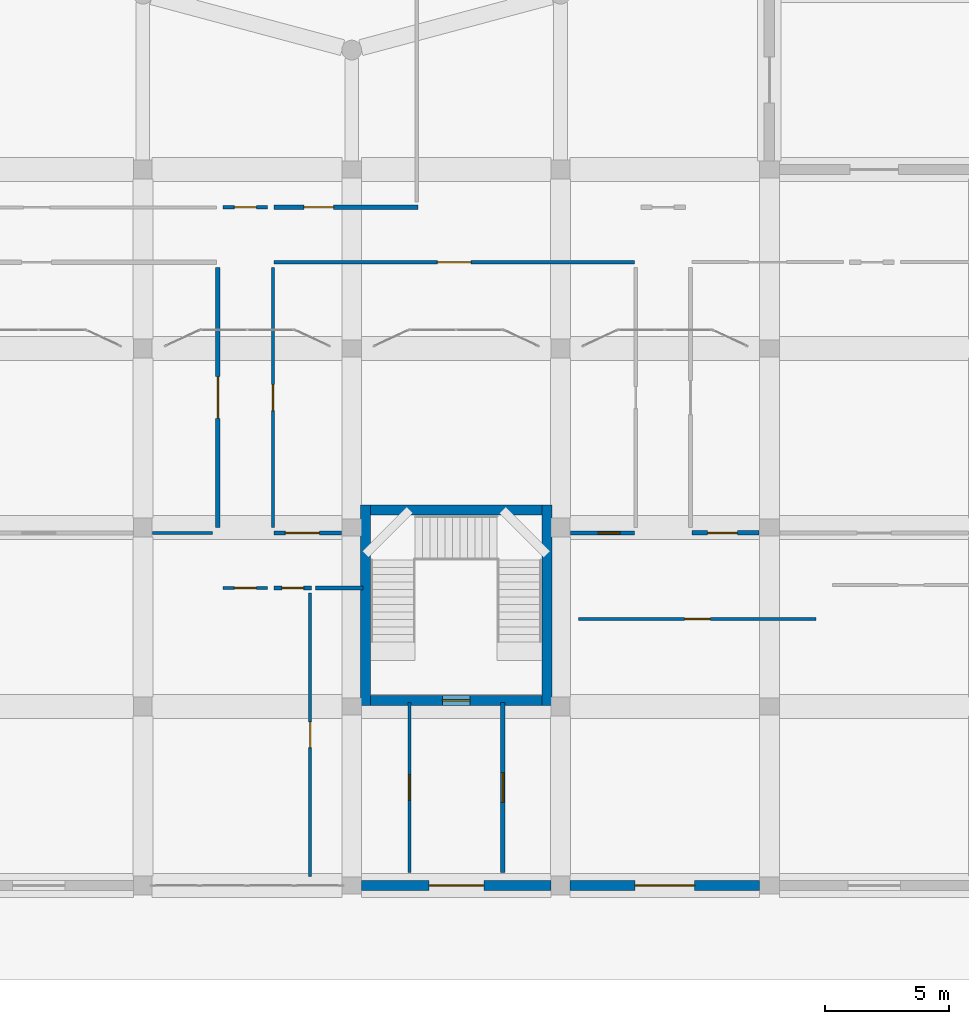
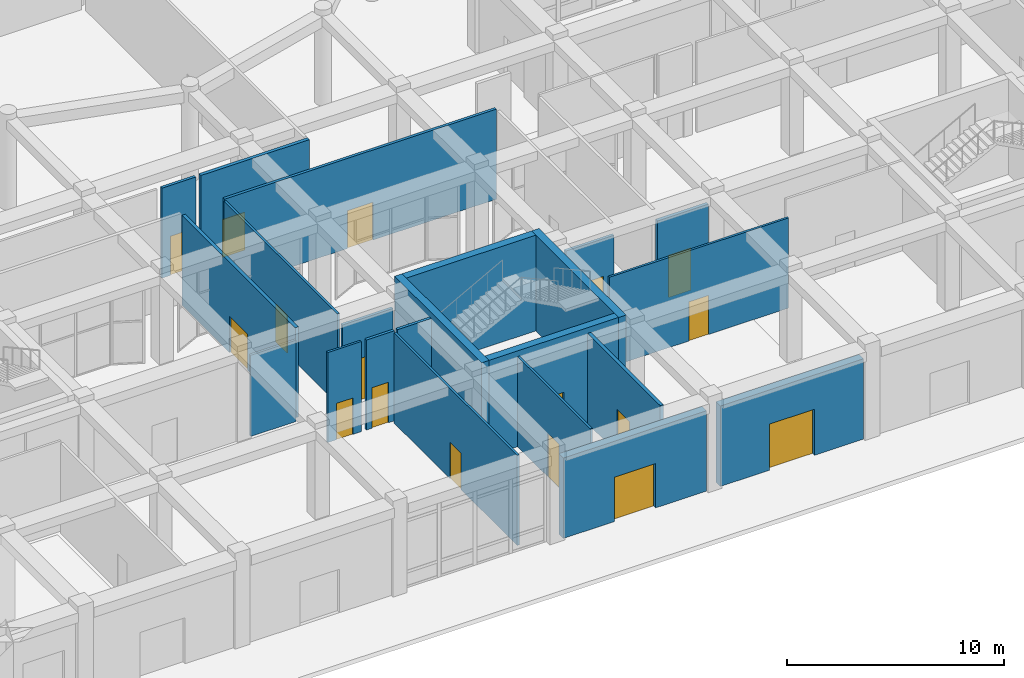
# One storey, part 66 of 84: 22 walls, 17 doors, 17 openings.
"""IFC4 building model written with IfcOpenShell, lengths in metres."""

from ifc_helpers import new_model, si_unit, derived_unit, direction, frame, frame_2d, origin, place, context, subcontext, project, spatial, rectangle, extrude, material, layer, layer_set, type_object, element, fill, save


model = new_model("IFC4")

# Units and contexts
model_context = context("Model", 3, precision=1e-05, world=origin(), true_north=direction((0.0, 1.0)))
body_context = subcontext(model_context, "Body", "Model", "MODEL_VIEW")
ifc_project = project(units=[si_unit("LENGTHUNIT", "METRE"), si_unit("AREAUNIT", "SQUARE_METRE"), si_unit("VOLUMEUNIT", "CUBIC_METRE"), si_unit("PLANEANGLEUNIT", "RADIAN"), si_unit("MASSUNIT", "GRAM", prefix="KILO"), derived_unit("THERMALTRANSMITTANCEUNIT", [(si_unit("POWERUNIT", "WATT"), 1), (si_unit("LENGTHUNIT", "METRE"), -2), (si_unit("THERMODYNAMICTEMPERATUREUNIT", "KELVIN"), -1)])], contexts=[model_context])

# Site, building, storey
site_placement = place(None, origin())
site = spatial("IfcSite", under=ifc_project, at=site_placement, CompositionType="ELEMENT")
building_placement = place(site_placement, origin())
building = spatial("IfcBuilding", under=site, at=building_placement, Name="Veybourne Emporium", CompositionType="ELEMENT")
storey_placement = place(building_placement, origin())
storey = spatial("IfcBuildingStorey", under=building, at=storey_placement, Name="L00", CompositionType="ELEMENT", Elevation=0.0)

# Wall, opening, door
ifc_material_1 = material(Name="Honed Black Granite Plinth", Category="masonry")
ifc_layer_1 = layer(ifc_material_1, 0.419921875)
ifc_layer_set_1 = layer_set([ifc_layer_1], Name="Honed Black Granite Plinth")
wall_type_1 = type_object("IfcWallType", Name="ExtWall_EW-02", PredefinedType="SOLIDWALL", material=ifc_layer_set_1)
wall_1_placement = place(storey_placement, frame((83.625, 0.0, 0.0), z_axis=(0.0, 0.0, 1.0), x_axis=(-1.0, 0.0, 0.0)))
wall_1 = element("IfcWall", 1, at=wall_1_placement, inside=storey, type_object=wall_type_1, Name="Ground street granite plinth entrance wall 035", PredefinedType="SOLIDWALL", context=body_context, shape_type="SweptSolid", body=[
    extrude(rectangle(XDim=7.625, YDim=0.419921875, at=frame_2d((3.8125, 0.0))), origin(), (0.0, 0.0, 1.0), 4.530029296875),
])
opening_1_placement = place(wall_1_placement, frame((2.71240234375, 0.0, 0.0)))
opening_1 = element("IfcOpeningElement", 2, at=opening_1_placement, cuts=wall_1, Name="Opening EX-02", PredefinedType="OPENING", context=body_context, shape_type="SweptSolid", body=[
    extrude(rectangle(XDim=2.199951171875, YDim=2.5, at=frame_2d((1.10009765625, 1.25))), frame((0.0, 0.22998046875, 0.0), z_axis=(0.0, -1.0, 0.0), x_axis=(1.0, 0.0, 0.0)), (0.0, 0.0, 1.0), 0.4599609375),
])
ifc_material_2 = material(Name="Patinated Architectural Bronze", Category="bronze")
door_type_1 = type_object("IfcDoorType", Name="ExitDoor_EX-02", OperationType="DOUBLE_DOOR_SINGLE_SWING", PredefinedType="DOOR", material=ifc_material_2)
door_1_placement = place(opening_1_placement, origin())
door_1 = element("IfcDoor", 3, at=door_1_placement, inside=storey, type_object=door_type_1, Name="Pedestrian final exit door EX-02 #19", OperationType="DOUBLE_DOOR_SINGLE_SWING", OverallHeight=2.5, OverallWidth=2.199951171875, PredefinedType="DOOR", context=body_context, shape_type="SweptSolid", body=[
    extrude(rectangle(XDim=2.199951171875, YDim=2.5, at=frame_2d((1.10009765625, 1.25))), frame((0.0, 0.02490234375, 0.0), z_axis=(0.0, -1.0, 0.0), x_axis=(1.0, 0.0, 0.0)), (0.0, 0.0, 1.0), 0.050048828125),
])
fill(opening_1, door_1)

wall_2_placement = place(storey_placement, frame((92.0, 0.0, 0.0), z_axis=(0.0, 0.0, 1.0), x_axis=(-1.0, 0.0, 0.0)))
wall_2 = element("IfcWall", 4, at=wall_2_placement, inside=storey, type_object=wall_type_1, Name="Ground street granite plinth entrance wall 037", PredefinedType="SOLIDWALL", context=body_context, shape_type="SweptSolid", body=[
    extrude(rectangle(XDim=7.625, YDim=0.419921875, at=frame_2d((3.8125, 0.0))), origin(), (0.0, 0.0, 1.0), 4.530029296875),
])
opening_2_placement = place(wall_2_placement, frame((2.612548828125, 0.0, 0.0)))
opening_2 = element("IfcOpeningElement", 5, at=opening_2_placement, cuts=wall_2, Name="Opening EX-03", PredefinedType="OPENING", context=body_context, shape_type="SweptSolid", body=[
    extrude(rectangle(XDim=2.39990234375, YDim=2.60009765625, at=frame_2d((1.199951171875, 1.300048828125))), frame((0.0, 0.22998046875, 0.0), z_axis=(0.0, -1.0, 0.0), x_axis=(1.0, 0.0, 0.0)), (0.0, 0.0, 1.0), 0.4599609375),
])
door_type_2 = type_object("IfcDoorType", Name="ExitDoor_EX-03", OperationType="DOUBLE_DOOR_SINGLE_SWING", PredefinedType="DOOR", material=ifc_material_2)
door_2_placement = place(opening_2_placement, origin())
door_2 = element("IfcDoor", 6, at=door_2_placement, inside=storey, type_object=door_type_2, Name="Pedestrian final exit door EX-03 #20", OperationType="DOUBLE_DOOR_SINGLE_SWING", OverallHeight=2.60009765625, OverallWidth=2.39990234375, PredefinedType="DOOR", context=body_context, shape_type="SweptSolid", body=[
    extrude(rectangle(XDim=2.39990234375, YDim=2.60009765625, at=frame_2d((1.199951171875, 1.300048828125))), frame((0.0, 0.02490234375, 0.0), z_axis=(0.0, -1.0, 0.0), x_axis=(1.0, 0.0, 0.0)), (0.0, 0.0, 1.0), 0.050048828125),
])
fill(opening_2, door_2)

ifc_material_3 = material(Name="Concrete C40/50", Category="concrete")
ifc_layer_2 = layer(ifc_material_3, 0.39990234375)
ifc_layer_set_2 = layer_set([ifc_layer_2], Name="Concrete C40/50")
wall_type_2 = type_object("IfcWallType", Name="IntWall_CW-01", PredefinedType="SHEAR", material=ifc_layer_set_2)
wall_3_placement = place(storey_placement, frame((83.25, 7.449951171875, 0.0), z_axis=(0.0, 0.0, 1.0), x_axis=(-1.0, 0.0, 0.0)))
wall_3 = element("IfcWall", 7, at=wall_3_placement, inside=storey, type_object=wall_type_2, Name="Core stair ST-10 south shear wall (L00)", PredefinedType="SHEAR", context=body_context, shape_type="SweptSolid", body=[
    extrude(rectangle(XDim=6.89990234375, YDim=0.39990234375, at=frame_2d((3.449951171875, 0.0))), origin(), (0.0, 0.0, 1.0), 5.39990234375),
])
opening_3_placement = place(wall_3_placement, frame((2.89990234375, 0.0, 0.0)))
opening_3 = element("IfcOpeningElement", 8, at=opening_3_placement, cuts=wall_3, Name="Opening FD-01", PredefinedType="OPENING", context=body_context, shape_type="SweptSolid", body=[
    extrude(rectangle(XDim=1.10009765625, YDim=2.199951171875, at=frame_2d((0.550048828125, 1.10009765625))), frame((0.0, 0.219970703125, 0.0), z_axis=(0.0, -1.0, 0.0), x_axis=(1.0, 0.0, 0.0)), (0.0, 0.0, 1.0), 0.43994140625),
])
door_type_3 = type_object("IfcDoorType", Name="FireDoor_FD-01", OperationType="NOTDEFINED", PredefinedType="DOOR", material=ifc_material_2)
door_3_placement = place(opening_3_placement, origin())
door_3 = element("IfcDoor", 9, at=door_3_placement, inside=storey, type_object=door_type_3, Name="Stair ST-10 fire door (L00)", OperationType="SINGLE_SWING_RIGHT", OverallHeight=2.199951171875, OverallWidth=1.10009765625, PredefinedType="DOOR", context=body_context, shape_type="SweptSolid", body=[
    extrude(rectangle(XDim=1.10009765625, YDim=2.199951171875, at=frame_2d((0.550048828125, 1.10009765625))), frame((0.0, 0.02490234375, 0.0), z_axis=(0.0, -1.0, 0.0), x_axis=(1.0, 0.0, 0.0)), (0.0, 0.0, 1.0), 0.050048828125),
])
fill(opening_3, door_3)

# Walls
wall_4_placement = place(storey_placement, frame((76.35009765625, 15.10009765625, 0.0), z_axis=(0.0, 0.0, 1.0), x_axis=(1.0, 0.0, 0.0)))
element("IfcWall", 10, at=wall_4_placement, inside=storey, type_object=wall_type_2, Name="Core stair ST-10 north shear wall (L00)", PredefinedType="SHEAR", context=body_context, shape_type="SweptSolid", body=[
    extrude(rectangle(XDim=6.89990234375, YDim=0.39990234375, at=frame_2d((3.449951171875, 0.0))), origin(), (0.0, 0.0, 1.0), 5.39990234375),
])
for number, where, z_axis, x_axis, name in (
    (11, (76.14990234375, 15.300048828125, 0.0), (0.0, 0.0, 1.0), (0.0, -1.0, 0.0), "Core stair ST-10 west shear wall (L00)"),
    (12, (83.449951171875, 7.25, 0.0), (0.0, 0.0, 1.0), (0.0, 1.0, 0.0), "Core stair ST-10 east shear wall (L00)"),
):
    element("IfcWall", number, at=place(storey_placement, frame(where, z_axis=z_axis, x_axis=x_axis)), inside=storey, type_object=wall_type_2, Name=name, PredefinedType="SHEAR", context=body_context, shape_type="SweptSolid", body=[
        extrude(rectangle(XDim=8.050048828125, YDim=0.39990234375, at=frame_2d((4.02490234375, 0.0))), origin(), (0.0, 0.0, 1.0), 5.39990234375),
    ])

# Wall, opening, door
ifc_material_4 = material(Name="Gypsum Acoustic Board", Category="gypsum")
ifc_layer_3 = layer(ifc_material_4, 0.179931640625)
ifc_layer_set_3 = layer_set([ifc_layer_3], Name="Gypsum Acoustic Board")
wall_type_3 = type_object("IfcWallType", Name="IntWall_IW-01", PredefinedType="PARTITIONING", material=ifc_layer_set_3)
wall_5_placement = place(storey_placement, frame((89.280029296875, 14.179931640625, 0.0), z_axis=(0.0, 0.0, 1.0), x_axis=(1.0, 0.0, 0.0)))
wall_5 = element("IfcWall", 13, at=wall_5_placement, inside=storey, type_object=wall_type_3, Name="L00 interior partition IW-01 #059", PredefinedType="PARTITIONING", context=body_context, shape_type="SweptSolid", body=[
    extrude(rectangle(XDim=2.699951171875, YDim=0.179931640625, at=frame_2d((1.35009765625, 0.0))), origin(), (0.0, 0.0, 1.0), 4.580078125),
])
opening_4_placement = place(wall_5_placement, frame((0.6298828125, 0.0, 0.0)))
opening_4 = element("IfcOpeningElement", 14, at=opening_4_placement, cuts=wall_5, Name="Opening D-27", PredefinedType="OPENING", context=body_context, shape_type="SweptSolid", body=[
    extrude(rectangle(XDim=1.199951171875, YDim=2.3701171875, at=frame_2d((0.60009765625, 1.18505859375))), frame((0.0, 0.10986328125, 0.0), z_axis=(0.0, -1.0, 0.0), x_axis=(1.0, 0.0, 0.0)), (0.0, 0.0, 1.0), 0.219970703125),
])
ifc_material_5 = material(Name="European Oak Veneer and Bronze", Category="wood")
door_type_4 = type_object("IfcDoorType", Name="IntDoor_D-27", OperationType="NOTDEFINED", PredefinedType="DOOR", material=ifc_material_5)
door_4_placement = place(opening_4_placement, origin())
door_4 = element("IfcDoor", 15, at=door_4_placement, inside=storey, type_object=door_type_4, Name="L00 interior door D-27 (PART-L00-059)", OperationType="SINGLE_SWING_LEFT", OverallHeight=2.3701171875, OverallWidth=1.199951171875, PredefinedType="DOOR", context=body_context, shape_type="SweptSolid", body=[
    extrude(rectangle(XDim=1.199951171875, YDim=2.3701171875, at=frame_2d((0.60009765625, 1.18505859375))), frame((0.0, 0.02490234375, 0.0), z_axis=(0.0, -1.0, 0.0), x_axis=(1.0, 0.0, 0.0)), (0.0, 0.0, 1.0), 0.050048828125),
])
fill(opening_4, door_4)

wall_6_placement = place(storey_placement, frame((70.219970703125, 14.389892578125, 0.0), z_axis=(0.0, 0.0, 1.0), x_axis=(0.0, 1.0, 0.0)))
wall_6 = element("IfcWall", 16, at=wall_6_placement, inside=storey, type_object=wall_type_3, Name="L00 interior partition IW-01 #074", PredefinedType="PARTITIONING", context=body_context, shape_type="SweptSolid", body=[
    extrude(rectangle(XDim=10.47021484375, YDim=0.179931640625, at=frame_2d((5.235107421875, 0.0))), origin(), (0.0, 0.0, 1.0), 5.080078125),
])
opening_5_placement = place(wall_6_placement, frame((4.39501953125, 0.0, 0.0)))
opening_5 = element("IfcOpeningElement", 17, at=opening_5_placement, cuts=wall_6, Name="Opening D-06", PredefinedType="OPENING", context=body_context, shape_type="SweptSolid", body=[
    extrude(rectangle(XDim=1.679931640625, YDim=2.050048828125, at=frame_2d((0.83984375, 1.02490234375))), frame((0.0, 0.10986328125, 0.0), z_axis=(0.0, -1.0, 0.0), x_axis=(1.0, 0.0, 0.0)), (0.0, 0.0, 1.0), 0.219970703125),
])
door_type_5 = type_object("IfcDoorType", Name="IntDoor_D-06", OperationType="DOUBLE_DOOR_SINGLE_SWING", PredefinedType="DOOR", material=ifc_material_5)
door_5_placement = place(opening_5_placement, origin())
door_5 = element("IfcDoor", 18, at=door_5_placement, inside=storey, type_object=door_type_5, Name="L00 interior door D-06 (PART-L00-074)", OperationType="DOUBLE_DOOR_SINGLE_SWING", OverallHeight=2.050048828125, OverallWidth=1.679931640625, PredefinedType="DOOR", context=body_context, shape_type="SweptSolid", body=[
    extrude(rectangle(XDim=1.679931640625, YDim=2.050048828125, at=frame_2d((0.83984375, 1.02490234375))), frame((0.0, 0.02490234375, 0.0), z_axis=(0.0, -1.0, 0.0), x_axis=(1.0, 0.0, 0.0)), (0.0, 0.0, 1.0), 0.050048828125),
])
fill(opening_5, door_5)

wall_7_placement = place(storey_placement, frame((81.679931640625, 0.530029296875, 0.0), z_axis=(0.0, 0.0, 1.0), x_axis=(0.0, 1.0, 0.0)))
wall_7 = element("IfcWall", 19, at=wall_7_placement, inside=storey, type_object=wall_type_3, Name="L00 interior partition IW-01 #101", PredefinedType="PARTITIONING", context=body_context, shape_type="SweptSolid", body=[
    extrude(rectangle(XDim=6.830078125, YDim=0.179931640625, at=frame_2d((3.4150390625, 0.0))), origin(), (0.0, 0.0, 1.0), 5.080078125),
])
opening_6_placement = place(wall_7_placement, frame((2.81494140625, 0.0, 0.0)))
opening_6 = element("IfcOpeningElement", 20, at=opening_6_placement, cuts=wall_7, Name="Opening D-33", PredefinedType="OPENING", context=body_context, shape_type="SweptSolid", body=[
    extrude(rectangle(XDim=1.199951171875, YDim=2.449951171875, at=frame_2d((0.60009765625, 1.22509765625))), frame((0.0, 0.10986328125, 0.0), z_axis=(0.0, -1.0, 0.0), x_axis=(1.0, 0.0, 0.0)), (0.0, 0.0, 1.0), 0.219970703125),
])
door_type_6 = type_object("IfcDoorType", Name="IntDoor_D-33", OperationType="NOTDEFINED", PredefinedType="DOOR", material=ifc_material_5)
door_6_placement = place(opening_6_placement, frame((1.199951171875, 0.0, 0.0), z_axis=(0.0, 0.0, 1.0), x_axis=(-1.0, 0.0, 0.0)))
door_6 = element("IfcDoor", 21, at=door_6_placement, inside=storey, type_object=door_type_6, Name="L00 interior door D-33 (PART-L00-101)", OperationType="SINGLE_SWING_LEFT", OverallHeight=2.449951171875, OverallWidth=1.199951171875, PredefinedType="DOOR", context=body_context, shape_type="SweptSolid", body=[
    extrude(rectangle(XDim=1.199951171875, YDim=2.449951171875, at=frame_2d((0.60009765625, 1.22509765625))), frame((0.0, 0.02490234375, 0.0), z_axis=(0.0, -1.0, 0.0), x_axis=(1.0, 0.0, 0.0)), (0.0, 0.0, 1.0), 0.050048828125),
])
fill(opening_6, door_6)

wall_8_placement = place(storey_placement, frame((72.47998046875, 27.280029296875, 0.0), z_axis=(0.0, 0.0, 1.0), x_axis=(1.0, 0.0, 0.0)))
wall_8 = element("IfcWall", 22, at=wall_8_placement, inside=storey, type_object=wall_type_3, Name="L00 interior partition IW-01 #113", PredefinedType="PARTITIONING", context=body_context, shape_type="SweptSolid", body=[
    extrude(rectangle(XDim=5.784912109375, YDim=0.179931640625, at=frame_2d((2.892578125, 0.0))), origin(), (0.0, 0.0, 1.0), 5.080078125),
])
opening_7_placement = place(wall_8_placement, frame((1.192138671875, 0.0, 0.0)))
opening_7 = element("IfcOpeningElement", 23, at=opening_7_placement, cuts=wall_8, Name="Opening D-09", PredefinedType="OPENING", context=body_context, shape_type="SweptSolid", body=[
    extrude(rectangle(XDim=1.199951171875, YDim=2.1298828125, at=frame_2d((0.60009765625, 1.06494140625))), frame((0.0, 0.10986328125, 0.0), z_axis=(0.0, -1.0, 0.0), x_axis=(1.0, 0.0, 0.0)), (0.0, 0.0, 1.0), 0.219970703125),
])
door_type_7 = type_object("IfcDoorType", Name="IntDoor_D-09", OperationType="NOTDEFINED", PredefinedType="DOOR", material=ifc_material_5)
door_7_placement = place(opening_7_placement, origin())
door_7 = element("IfcDoor", 24, at=door_7_placement, inside=storey, type_object=door_type_7, Name="L00 interior door D-09 (PART-L00-113)", OperationType="SINGLE_SWING_LEFT", OverallHeight=2.1298828125, OverallWidth=1.199951171875, PredefinedType="DOOR", context=body_context, shape_type="SweptSolid", body=[
    extrude(rectangle(XDim=1.199951171875, YDim=2.1298828125, at=frame_2d((0.60009765625, 1.06494140625))), frame((0.0, 0.02490234375, 0.0), z_axis=(0.0, -1.0, 0.0), x_axis=(1.0, 0.0, 0.0)), (0.0, 0.0, 1.0), 0.050048828125),
])
fill(opening_7, door_7)

ifc_layer_4 = layer(ifc_material_4, 0.14990234375)
ifc_layer_set_4 = layer_set([ifc_layer_4], Name="Gypsum Acoustic Board")
wall_type_4 = type_object("IfcWallType", Name="IntWall_IW-02", PredefinedType="PARTITIONING", material=ifc_layer_set_4)
wall_9_placement = place(storey_placement, frame((72.47998046875, 25.070068359375, 0.0), z_axis=(0.0, 0.0, 1.0), x_axis=(1.0, 0.0, 0.0)))
wall_9 = element("IfcWall", 25, at=wall_9_placement, inside=storey, type_object=wall_type_4, Name="L00 interior partition IW-02 #042", PredefinedType="PARTITIONING", context=body_context, shape_type="SweptSolid", body=[
    extrude(rectangle(XDim=14.489990234375, YDim=0.14990234375, at=frame_2d((7.2451171875, 0.0))), origin(), (0.0, 0.0, 1.0), 5.080078125),
])
opening_8_placement = place(wall_9_placement, frame((6.56494140625, 0.0, 0.0)))
opening_8 = element("IfcOpeningElement", 26, at=opening_8_placement, cuts=wall_9, Name="Opening D-10", PredefinedType="OPENING", context=body_context, shape_type="SweptSolid", body=[
    extrude(rectangle(XDim=1.360107421875, YDim=2.1298828125, at=frame_2d((0.68017578125, 1.06494140625))), frame((0.0, 0.094970703125, 0.0), z_axis=(0.0, -1.0, 0.0), x_axis=(1.0, 0.0, 0.0)), (0.0, 0.0, 1.0), 0.18994140625),
])
door_type_8 = type_object("IfcDoorType", Name="IntDoor_D-10", OperationType="NOTDEFINED", PredefinedType="DOOR", material=ifc_material_5)
door_8_placement = place(opening_8_placement, frame((1.360107421875, 0.0, 0.0), z_axis=(0.0, 0.0, 1.0), x_axis=(-1.0, 0.0, 0.0)))
door_8 = element("IfcDoor", 27, at=door_8_placement, inside=storey, type_object=door_type_8, Name="L00 interior door D-10 (PART-L00-042)", OperationType="SINGLE_SWING_LEFT", OverallHeight=2.1298828125, OverallWidth=1.360107421875, PredefinedType="DOOR", context=body_context, shape_type="SweptSolid", body=[
    extrude(rectangle(XDim=1.360107421875, YDim=2.1298828125, at=frame_2d((0.68017578125, 1.06494140625))), frame((0.0, 0.02490234375, 0.0), z_axis=(0.0, -1.0, 0.0), x_axis=(1.0, 0.0, 0.0)), (0.0, 0.0, 1.0), 0.050048828125),
])
fill(opening_8, door_8)

wall_10_placement = place(storey_placement, frame((72.47998046875, 14.179931640625, 0.0), z_axis=(0.0, 0.0, 1.0), x_axis=(1.0, 0.0, 0.0)))
wall_10 = element("IfcWall", 28, at=wall_10_placement, inside=storey, type_object=wall_type_4, Name="L00 interior partition IW-02 #132", PredefinedType="PARTITIONING", context=body_context, shape_type="SweptSolid", body=[
    extrude(rectangle(XDim=2.699951171875, YDim=0.14990234375, at=frame_2d((1.35009765625, 0.0))), origin(), (0.0, 0.0, 1.0), 4.580078125),
])
opening_9_placement = place(wall_10_placement, frame((0.45556640625, 0.0, 0.0)))
opening_9 = element("IfcOpeningElement", 29, at=opening_9_placement, cuts=wall_10, Name="Opening D-28", PredefinedType="OPENING", context=body_context, shape_type="SweptSolid", body=[
    extrude(rectangle(XDim=1.360107421875, YDim=2.3701171875, at=frame_2d((0.68017578125, 1.18505859375))), frame((0.0, 0.094970703125, 0.0), z_axis=(0.0, -1.0, 0.0), x_axis=(1.0, 0.0, 0.0)), (0.0, 0.0, 1.0), 0.18994140625),
])
door_type_9 = type_object("IfcDoorType", Name="IntDoor_D-28", OperationType="NOTDEFINED", PredefinedType="DOOR", material=ifc_material_5)
door_9_placement = place(opening_9_placement, origin())
door_9 = element("IfcDoor", 30, at=door_9_placement, inside=storey, type_object=door_type_9, Name="L00 interior door D-28 (PART-L00-132)", OperationType="SINGLE_SWING_LEFT", OverallHeight=2.3701171875, OverallWidth=1.360107421875, PredefinedType="DOOR", context=body_context, shape_type="SweptSolid", body=[
    extrude(rectangle(XDim=1.360107421875, YDim=2.3701171875, at=frame_2d((0.68017578125, 1.18505859375))), frame((0.0, 0.02490234375, 0.0), z_axis=(0.0, -1.0, 0.0), x_axis=(1.0, 0.0, 0.0)), (0.0, 0.0, 1.0), 0.050048828125),
])
fill(opening_9, door_9)

wall_11_placement = place(storey_placement, frame((84.39501953125, 14.179931640625, 0.0), z_axis=(0.0, 0.0, 1.0), x_axis=(1.0, 0.0, 0.0)))
wall_11 = element("IfcWall", 31, at=wall_11_placement, inside=storey, type_object=wall_type_4, Name="L00 interior partition IW-02 #135", PredefinedType="PARTITIONING", context=body_context, shape_type="SweptSolid", body=[
    extrude(rectangle(XDim=2.574951171875, YDim=0.14990234375, at=frame_2d((1.28759765625, 0.0))), origin(), (0.0, 0.0, 1.0), 4.580078125),
])
opening_10_placement = place(wall_11_placement, frame((1.11865234375, 0.0, 0.0)))
opening_10 = element("IfcOpeningElement", 32, at=opening_10_placement, cuts=wall_11, Name="Opening D-31", PredefinedType="OPENING", context=body_context, shape_type="SweptSolid", body=[
    extrude(rectangle(XDim=0.8798828125, YDim=2.449951171875, at=frame_2d((0.43994140625, 1.22509765625))), frame((0.0, 0.094970703125, 0.0), z_axis=(0.0, -1.0, 0.0), x_axis=(1.0, 0.0, 0.0)), (0.0, 0.0, 1.0), 0.18994140625),
])
door_type_10 = type_object("IfcDoorType", Name="IntDoor_D-31", OperationType="NOTDEFINED", PredefinedType="DOOR", material=ifc_material_5)
door_10_placement = place(opening_10_placement, origin())
door_10 = element("IfcDoor", 33, at=door_10_placement, inside=storey, type_object=door_type_10, Name="L00 interior door D-31 (PART-L00-135)", OperationType="SINGLE_SWING_LEFT", OverallHeight=2.449951171875, OverallWidth=0.8798828125, PredefinedType="DOOR", context=body_context, shape_type="SweptSolid", body=[
    extrude(rectangle(XDim=0.8798828125, YDim=2.449951171875, at=frame_2d((0.43994140625, 1.22509765625))), frame((0.0, 0.02490234375, 0.0), z_axis=(0.0, -1.0, 0.0), x_axis=(1.0, 0.0, 0.0)), (0.0, 0.0, 1.0), 0.050048828125),
])
fill(opening_10, door_10)

# Wall
wall_12_placement = place(storey_placement, frame((74.139892578125, 11.969970703125, 0.0), z_axis=(0.0, 0.0, 1.0), x_axis=(1.0, 0.0, 0.0)))
element("IfcWall", 34, at=wall_12_placement, inside=storey, type_object=wall_type_4, Name="L00 interior partition IW-02 #174", PredefinedType="PARTITIONING", context=body_context, shape_type="SweptSolid", body=[
    extrude(rectangle(XDim=1.920166015625, YDim=0.14990234375, at=frame_2d((0.9599609375, 0.0))), origin(), (0.0, 0.0, 1.0), 5.080078125),
])

# Wall, opening, door
wall_13_placement = place(storey_placement, frame((70.429931640625, 27.280029296875, 0.0), z_axis=(0.0, 0.0, 1.0), x_axis=(1.0, 0.0, 0.0)))
wall_13 = element("IfcWall", 35, at=wall_13_placement, inside=storey, type_object=wall_type_4, Name="L00 interior partition IW-02 #189", PredefinedType="PARTITIONING", context=body_context, shape_type="SweptSolid", body=[
    extrude(rectangle(XDim=1.7900390625, YDim=0.14990234375, at=frame_2d((0.89501953125, 0.0))), origin(), (0.0, 0.0, 1.0), 5.080078125),
])
opening_11_placement = place(wall_13_placement, frame((0.455078125, 0.0, 0.0)))
opening_11 = element("IfcOpeningElement", 36, at=opening_11_placement, cuts=wall_13, Name="Opening D-13", PredefinedType="OPENING", context=body_context, shape_type="SweptSolid", body=[
    extrude(rectangle(XDim=0.8798828125, YDim=2.2099609375, at=frame_2d((0.43994140625, 1.10498046875))), frame((0.0, 0.094970703125, 0.0), z_axis=(0.0, -1.0, 0.0), x_axis=(1.0, 0.0, 0.0)), (0.0, 0.0, 1.0), 0.18994140625),
])
door_type_11 = type_object("IfcDoorType", Name="IntDoor_D-13", OperationType="NOTDEFINED", PredefinedType="DOOR", material=ifc_material_5)
door_11_placement = place(opening_11_placement, origin())
door_11 = element("IfcDoor", 37, at=door_11_placement, inside=storey, type_object=door_type_11, Name="L00 interior door D-13 (PART-L00-189)", OperationType="SINGLE_SWING_LEFT", OverallHeight=2.2099609375, OverallWidth=0.8798828125, PredefinedType="DOOR", context=body_context, shape_type="SweptSolid", body=[
    extrude(rectangle(XDim=0.8798828125, YDim=2.2099609375, at=frame_2d((0.43994140625, 1.10498046875))), frame((0.0, 0.02490234375, 0.0), z_axis=(0.0, -1.0, 0.0), x_axis=(1.0, 0.0, 0.0)), (0.0, 0.0, 1.0), 0.050048828125),
])
fill(opening_11, door_11)

wall_14_placement = place(storey_placement, frame((72.47998046875, 11.969970703125, 0.0), z_axis=(0.0, 0.0, 1.0), x_axis=(1.0, 0.0, 0.0)))
wall_14 = element("IfcWall", 38, at=wall_14_placement, inside=storey, type_object=wall_type_4, Name="L00 interior partition IW-02 #195", PredefinedType="PARTITIONING", context=body_context, shape_type="SweptSolid", body=[
    extrude(rectangle(XDim=1.5, YDim=0.14990234375, at=frame_2d((0.75, 0.0))), origin(), (0.0, 0.0, 1.0), 5.080078125),
])
opening_12_placement = place(wall_14_placement, frame((0.31005859375, 0.0, 0.0)))
opening_12 = element("IfcOpeningElement", 39, at=opening_12_placement, cuts=wall_14, Name="Opening D-19", PredefinedType="OPENING", context=body_context, shape_type="SweptSolid", body=[
    extrude(rectangle(XDim=0.8798828125, YDim=2.2900390625, at=frame_2d((0.43994140625, 1.14501953125))), frame((0.0, 0.094970703125, 0.0), z_axis=(0.0, -1.0, 0.0), x_axis=(1.0, 0.0, 0.0)), (0.0, 0.0, 1.0), 0.18994140625),
])
door_type_12 = type_object("IfcDoorType", Name="IntDoor_D-19", OperationType="NOTDEFINED", PredefinedType="DOOR", material=ifc_material_5)
door_12_placement = place(opening_12_placement, frame((0.8798828125, 0.0, 0.0), z_axis=(0.0, 0.0, 1.0), x_axis=(-1.0, 0.0, 0.0)))
door_12 = element("IfcDoor", 40, at=door_12_placement, inside=storey, type_object=door_type_12, Name="L00 interior door D-19 (PART-L00-195)", OperationType="SINGLE_SWING_RIGHT", OverallHeight=2.2900390625, OverallWidth=0.8798828125, PredefinedType="DOOR", context=body_context, shape_type="SweptSolid", body=[
    extrude(rectangle(XDim=0.8798828125, YDim=2.2900390625, at=frame_2d((0.43994140625, 1.14501953125))), frame((0.0, 0.02490234375, 0.0), z_axis=(0.0, -1.0, 0.0), x_axis=(1.0, 0.0, 0.0)), (0.0, 0.0, 1.0), 0.050048828125),
])
fill(opening_12, door_12)

# Wall
ifc_layer_5 = layer(ifc_material_4, 0.1201171875)
ifc_layer_set_5 = layer_set([ifc_layer_5], Name="Gypsum Acoustic Board")
wall_type_5 = type_object("IfcWallType", Name="IntWall_IW-03", PredefinedType="PARTITIONING", material=ifc_layer_set_5)
wall_15_placement = place(storey_placement, frame((67.594970703125, 14.179931640625, 0.0), z_axis=(0.0, 0.0, 1.0), x_axis=(1.0, 0.0, 0.0)))
element("IfcWall", 41, at=wall_15_placement, inside=storey, type_object=wall_type_5, Name="L00 interior partition IW-03 #031", PredefinedType="PARTITIONING", context=body_context, shape_type="SweptSolid", body=[
    extrude(rectangle(XDim=2.4150390625, YDim=0.1201171875, at=frame_2d((1.20751953125, 0.0))), origin(), (0.0, 0.0, 1.0), 4.580078125),
])

# Wall, opening, door
wall_16_placement = place(storey_placement, frame((73.929931640625, 0.3701171875, 0.0), z_axis=(0.0, 0.0, 1.0), x_axis=(0.0, 1.0, 0.0)))
wall_16 = element("IfcWall", 42, at=wall_16_placement, inside=storey, type_object=wall_type_5, Name="L00 interior partition IW-03 #070", PredefinedType="PARTITIONING", context=body_context, shape_type="SweptSolid", body=[
    extrude(rectangle(XDim=11.389892578125, YDim=0.1201171875, at=frame_2d((5.69482421875, 0.0))), origin(), (0.0, 0.0, 1.0), 5.080078125),
])
opening_13_placement = place(wall_16_placement, frame((5.175048828125, 0.0, 0.0)))
opening_13 = element("IfcOpeningElement", 43, at=opening_13_placement, cuts=wall_16, Name="Opening D-02", PredefinedType="OPENING", context=body_context, shape_type="SweptSolid", body=[
    extrude(rectangle(XDim=1.0400390625, YDim=2.050048828125, at=frame_2d((0.52001953125, 1.02490234375))), frame((0.0, 0.080078125, 0.0), z_axis=(0.0, -1.0, 0.0), x_axis=(1.0, 0.0, 0.0)), (0.0, 0.0, 1.0), 0.16015625),
])
door_type_13 = type_object("IfcDoorType", Name="IntDoor_D-02", OperationType="NOTDEFINED", PredefinedType="DOOR", material=ifc_material_5)
door_13_placement = place(opening_13_placement, origin())
door_13 = element("IfcDoor", 44, at=door_13_placement, inside=storey, type_object=door_type_13, Name="L00 interior door D-02 (PART-L00-070)", OperationType="SINGLE_SWING_RIGHT", OverallHeight=2.050048828125, OverallWidth=1.0400390625, PredefinedType="DOOR", context=body_context, shape_type="SweptSolid", body=[
    extrude(rectangle(XDim=1.0400390625, YDim=2.050048828125, at=frame_2d((0.52001953125, 1.02490234375))), frame((0.0, 0.02490234375, 0.0), z_axis=(0.0, -1.0, 0.0), x_axis=(1.0, 0.0, 0.0)), (0.0, 0.0, 1.0), 0.050048828125),
])
fill(opening_13, door_13)

wall_17_placement = place(storey_placement, frame((72.429931640625, 14.389892578125, 0.0), z_axis=(0.0, 0.0, 1.0), x_axis=(0.0, 1.0, 0.0)))
wall_17 = element("IfcWall", 45, at=wall_17_placement, inside=storey, type_object=wall_type_5, Name="L00 interior partition IW-03 #076", PredefinedType="PARTITIONING", context=body_context, shape_type="SweptSolid", body=[
    extrude(rectangle(XDim=10.47021484375, YDim=0.1201171875, at=frame_2d((5.235107421875, 0.0))), origin(), (0.0, 0.0, 1.0), 5.080078125),
])
opening_14_placement = place(wall_17_placement, frame((4.715087890625, 0.0, 0.0)))
opening_14 = element("IfcOpeningElement", 46, at=opening_14_placement, cuts=wall_17, Name="Opening D-08", PredefinedType="OPENING", context=body_context, shape_type="SweptSolid", body=[
    extrude(rectangle(XDim=1.0400390625, YDim=2.1298828125, at=frame_2d((0.52001953125, 1.06494140625))), frame((0.0, 0.080078125, 0.0), z_axis=(0.0, -1.0, 0.0), x_axis=(1.0, 0.0, 0.0)), (0.0, 0.0, 1.0), 0.16015625),
])
door_type_14 = type_object("IfcDoorType", Name="IntDoor_D-08", OperationType="NOTDEFINED", PredefinedType="DOOR", material=ifc_material_5)
door_14_placement = place(opening_14_placement, frame((1.0400390625, 0.0, 0.0), z_axis=(0.0, 0.0, 1.0), x_axis=(-1.0, 0.0, 0.0)))
door_14 = element("IfcDoor", 47, at=door_14_placement, inside=storey, type_object=door_type_14, Name="L00 interior door D-08 (PART-L00-076)", OperationType="SINGLE_SWING_LEFT", OverallHeight=2.1298828125, OverallWidth=1.0400390625, PredefinedType="DOOR", context=body_context, shape_type="SweptSolid", body=[
    extrude(rectangle(XDim=1.0400390625, YDim=2.1298828125, at=frame_2d((0.52001953125, 1.06494140625))), frame((0.0, 0.02490234375, 0.0), z_axis=(0.0, -1.0, 0.0), x_axis=(1.0, 0.0, 0.0)), (0.0, 0.0, 1.0), 0.050048828125),
])
fill(opening_14, door_14)

wall_18_placement = place(storey_placement, frame((84.72998046875, 10.719970703125, 0.0), z_axis=(0.0, 0.0, 1.0), x_axis=(1.0, 0.0, 0.0)))
wall_18 = element("IfcWall", 48, at=wall_18_placement, inside=storey, type_object=wall_type_5, Name="L00 interior partition IW-03 #082", PredefinedType="PARTITIONING", context=body_context, shape_type="SweptSolid", body=[
    extrude(rectangle(XDim=9.550048828125, YDim=0.1201171875, at=frame_2d((4.77490234375, 0.0))), origin(), (0.0, 0.0, 1.0), 5.080078125),
])
opening_15_placement = place(wall_18_placement, frame((4.2548828125, 0.0, 0.0)))
opening_15 = element("IfcOpeningElement", 49, at=opening_15_placement, cuts=wall_18, Name="Opening D-14", PredefinedType="OPENING", context=body_context, shape_type="SweptSolid", body=[
    extrude(rectangle(XDim=1.0400390625, YDim=2.2099609375, at=frame_2d((0.52001953125, 1.10498046875))), frame((0.0, 0.080078125, 0.0), z_axis=(0.0, -1.0, 0.0), x_axis=(1.0, 0.0, 0.0)), (0.0, 0.0, 1.0), 0.16015625),
])
door_type_15 = type_object("IfcDoorType", Name="IntDoor_D-14", OperationType="NOTDEFINED", PredefinedType="DOOR", material=ifc_material_5)
door_15_placement = place(opening_15_placement, frame((1.0400390625, 0.0, 0.0), z_axis=(0.0, 0.0, 1.0), x_axis=(-1.0, 0.0, 0.0)))
door_15 = element("IfcDoor", 50, at=door_15_placement, inside=storey, type_object=door_type_15, Name="L00 interior door D-14 (PART-L00-082)", OperationType="SINGLE_SWING_RIGHT", OverallHeight=2.2099609375, OverallWidth=1.0400390625, PredefinedType="DOOR", context=body_context, shape_type="SweptSolid", body=[
    extrude(rectangle(XDim=1.0400390625, YDim=2.2099609375, at=frame_2d((0.52001953125, 1.10498046875))), frame((0.0, 0.02490234375, 0.0), z_axis=(0.0, -1.0, 0.0), x_axis=(1.0, 0.0, 0.0)), (0.0, 0.0, 1.0), 0.050048828125),
])
fill(opening_15, door_15)

wall_19_placement = place(storey_placement, frame((77.919921875, 0.530029296875, 0.0), z_axis=(0.0, 0.0, 1.0), x_axis=(0.0, 1.0, 0.0)))
wall_19 = element("IfcWall", 51, at=wall_19_placement, inside=storey, type_object=wall_type_5, Name="L00 interior partition IW-03 #100", PredefinedType="PARTITIONING", context=body_context, shape_type="SweptSolid", body=[
    extrude(rectangle(XDim=6.830078125, YDim=0.1201171875, at=frame_2d((3.4150390625, 0.0))), origin(), (0.0, 0.0, 1.0), 5.080078125),
])
opening_16_placement = place(wall_19_placement, frame((2.89501953125, 0.0, 0.0)))
opening_16 = element("IfcOpeningElement", 52, at=opening_16_placement, cuts=wall_19, Name="Opening D-32", PredefinedType="OPENING", context=body_context, shape_type="SweptSolid", body=[
    extrude(rectangle(XDim=1.0400390625, YDim=2.449951171875, at=frame_2d((0.52001953125, 1.22509765625))), frame((0.0, 0.080078125, 0.0), z_axis=(0.0, -1.0, 0.0), x_axis=(1.0, 0.0, 0.0)), (0.0, 0.0, 1.0), 0.16015625),
])
door_type_16 = type_object("IfcDoorType", Name="IntDoor_D-32", OperationType="NOTDEFINED", PredefinedType="DOOR", material=ifc_material_5)
door_16_placement = place(opening_16_placement, origin())
door_16 = element("IfcDoor", 53, at=door_16_placement, inside=storey, type_object=door_type_16, Name="L00 interior door D-32 (PART-L00-100)", OperationType="SINGLE_SWING_RIGHT", OverallHeight=2.449951171875, OverallWidth=1.0400390625, PredefinedType="DOOR", context=body_context, shape_type="SweptSolid", body=[
    extrude(rectangle(XDim=1.0400390625, YDim=2.449951171875, at=frame_2d((0.52001953125, 1.22509765625))), frame((0.0, 0.02490234375, 0.0), z_axis=(0.0, -1.0, 0.0), x_axis=(1.0, 0.0, 0.0)), (0.0, 0.0, 1.0), 0.050048828125),
])
fill(opening_16, door_16)

wall_20_placement = place(storey_placement, frame((70.429931640625, 11.969970703125, 0.0), z_axis=(0.0, 0.0, 1.0), x_axis=(1.0, 0.0, 0.0)))
wall_20 = element("IfcWall", 54, at=wall_20_placement, inside=storey, type_object=wall_type_5, Name="L00 interior partition IW-03 #187", PredefinedType="PARTITIONING", context=body_context, shape_type="SweptSolid", body=[
    extrude(rectangle(XDim=1.7900390625, YDim=0.1201171875, at=frame_2d((0.89501953125, 0.0))), origin(), (0.0, 0.0, 1.0), 5.080078125),
])
opening_17_placement = place(wall_20_placement, frame((0.455078125, 0.0, 0.0)))
opening_17 = element("IfcOpeningElement", 55, at=opening_17_placement, cuts=wall_20, Name="Opening D-01", PredefinedType="OPENING", context=body_context, shape_type="SweptSolid", body=[
    extrude(rectangle(XDim=0.8798828125, YDim=2.050048828125, at=frame_2d((0.43994140625, 1.02490234375))), frame((0.0, 0.080078125, 0.0), z_axis=(0.0, -1.0, 0.0), x_axis=(1.0, 0.0, 0.0)), (0.0, 0.0, 1.0), 0.16015625),
])
door_type_17 = type_object("IfcDoorType", Name="IntDoor_D-01", OperationType="NOTDEFINED", PredefinedType="DOOR", material=ifc_material_5)
door_17_placement = place(opening_17_placement, frame((0.8798828125, 0.0, 0.0), z_axis=(0.0, 0.0, 1.0), x_axis=(-1.0, 0.0, 0.0)))
door_17 = element("IfcDoor", 56, at=door_17_placement, inside=storey, type_object=door_type_17, Name="L00 interior door D-01 (PART-L00-187)", OperationType="SINGLE_SWING_LEFT", OverallHeight=2.050048828125, OverallWidth=0.8798828125, PredefinedType="DOOR", context=body_context, shape_type="SweptSolid", body=[
    extrude(rectangle(XDim=0.8798828125, YDim=2.050048828125, at=frame_2d((0.43994140625, 1.02490234375))), frame((0.0, 0.02490234375, 0.0), z_axis=(0.0, -1.0, 0.0), x_axis=(1.0, 0.0, 0.0)), (0.0, 0.0, 1.0), 0.050048828125),
])
fill(opening_17, door_17)

save(model, "model.ifc")
